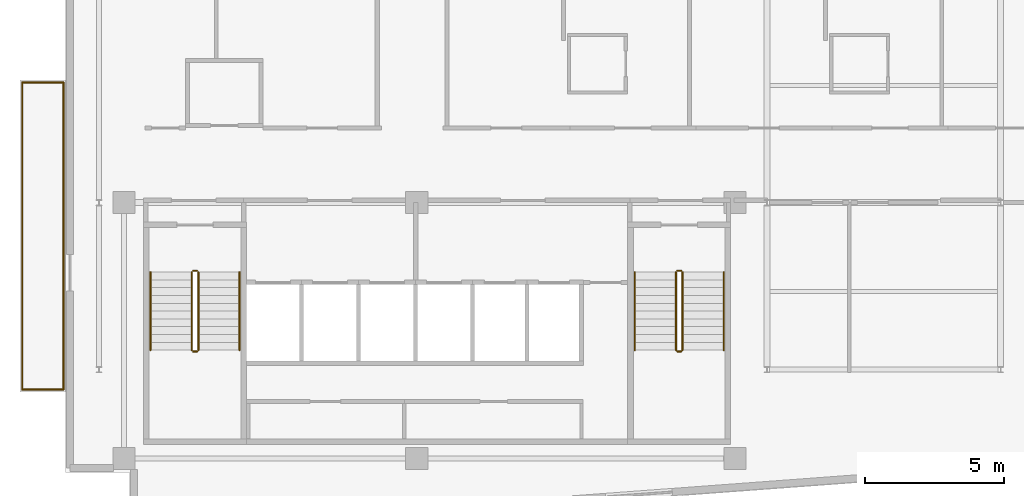
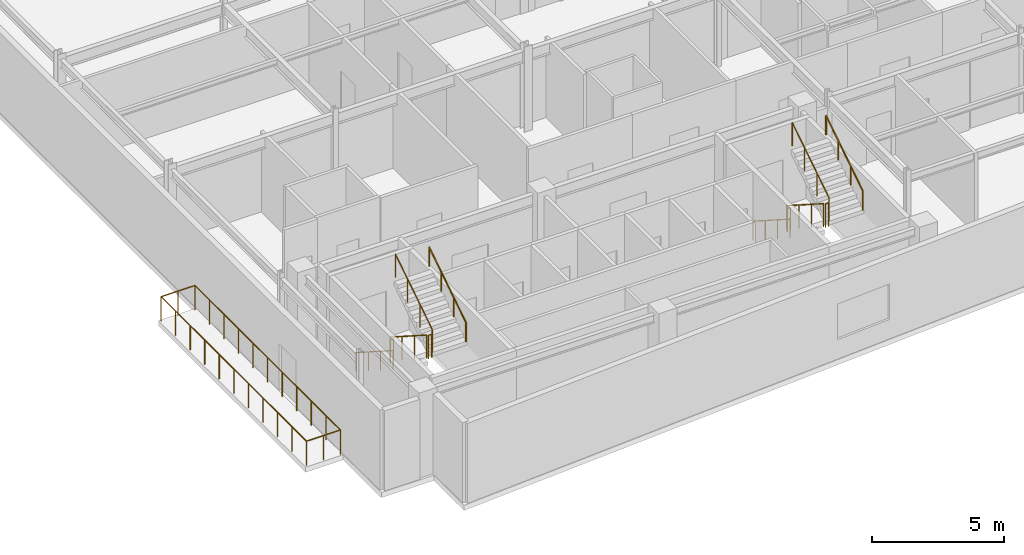
# One storey, part 14 of 16: 16 railings.
"""IFC4 building model written with IfcOpenShell, lengths in metres."""

from ifc_helpers import new_model, si_unit, direction, frame, origin, origin_2d, place, context, subcontext, project, spatial, circle, extrude, material, type_object, element, save


model = new_model("IFC4")

# Units and contexts
model_context = context("Model", 3, precision=1e-05, world=origin(), true_north=direction((0.0, 1.0)))
body_context = subcontext(model_context, "Body", "Model", "MODEL_VIEW")
ifc_project = project(units=[si_unit("LENGTHUNIT", "METRE"), si_unit("AREAUNIT", "SQUARE_METRE"), si_unit("VOLUMEUNIT", "CUBIC_METRE"), si_unit("PLANEANGLEUNIT", "RADIAN"), si_unit("MASSUNIT", "GRAM", prefix="KILO")], contexts=[model_context])

# Site, building, storey
site_placement = place(None, origin())
site = spatial("IfcSite", under=ifc_project, at=site_placement, CompositionType="ELEMENT")
building_placement = place(site_placement, origin())
building = spatial("IfcBuilding", under=site, at=building_placement, Name="Varnakote Quay Hospital", CompositionType="ELEMENT")
storey_placement = place(building_placement, frame((0.0, 0.0, 280.25)))
storey = spatial("IfcBuildingStorey", under=building, at=storey_placement, Name="L69", CompositionType="ELEMENT", Elevation=280.25)

# Railings
ifc_material_1 = material(Name="Anodised aluminium 6063-T6 Bronze", Category="aluminium")
railing_type_1 = type_object("IfcRailingType", Name="RLG-EXT-GUARD-1150", PredefinedType="GUARDRAIL", material=ifc_material_1)
railing_1_placement = place(storey_placement, frame((-0.075927734375, 5.280029296875, 0.0)))
element("IfcRailing", 1, at=railing_1_placement, inside=storey, type_object=railing_type_1, Name="L69 Zigzag Prow Healing Terrace Safety Guard", PredefinedType="GUARDRAIL", context=body_context, shape_type="SweptSolid", body=[
    extrude(circle(Radius=0.02392578125, at=origin_2d()), frame((0.0, 0.0, 1.1259765625), z_axis=(-1.0, 0.0, 0.0), x_axis=(0.0, -1.0, 0.0)), (0.0, 0.0, 1.0), 1.484130859375),
    extrude(circle(Radius=0.02099609375, at=origin_2d()), origin(), (0.0, 0.0, 1.0), 1.101806640625),
    extrude(circle(Radius=0.02099609375, at=origin_2d()), frame((-0.7421875, 0.0, 0.0)), (0.0, 0.0, 1.0), 1.101806640625),
    extrude(circle(Radius=0.02099609375, at=origin_2d()), frame((-1.484130859375, 0.0, 0.0)), (0.0, 0.0, 1.0), 1.101806640625),
])
railing_2_placement = place(storey_placement, frame((-1.56005859375, 5.280029296875, 0.0)))
element("IfcRailing", 2, at=railing_2_placement, inside=storey, type_object=railing_type_1, Name="L69 Zigzag Prow Healing Terrace Safety Guard", PredefinedType="GUARDRAIL", context=body_context, shape_type="SweptSolid", body=[
    extrude(circle(Radius=0.02392578125, at=origin_2d()), frame((0.0, 0.0, 1.1259765625), z_axis=(0.0, 1.0, 0.0), x_axis=(-1.0, 0.0, 0.0)), (0.0, 0.0, 1.0), 11.0400390625),
    extrude(circle(Radius=0.02099609375, at=origin_2d()), origin(), (0.0, 0.0, 1.0), 1.101806640625),
    extrude(circle(Radius=0.02099609375, at=origin_2d()), frame((0.0, 1.10400390625, 0.0)), (0.0, 0.0, 1.0), 1.101806640625),
    extrude(circle(Radius=0.02099609375, at=origin_2d()), frame((0.0, 2.2080078125, 0.0)), (0.0, 0.0, 1.0), 1.101806640625),
    extrude(circle(Radius=0.02099609375, at=origin_2d()), frame((0.0, 3.31201171875, 0.0)), (0.0, 0.0, 1.0), 1.101806640625),
    extrude(circle(Radius=0.02099609375, at=origin_2d()), frame((0.0, 4.416015625, 0.0)), (0.0, 0.0, 1.0), 1.101806640625),
    extrude(circle(Radius=0.02099609375, at=origin_2d()), frame((0.0, 5.52001953125, 0.0)), (0.0, 0.0, 1.0), 1.101806640625),
    extrude(circle(Radius=0.02099609375, at=origin_2d()), frame((0.0, 6.6240234375, 0.0)), (0.0, 0.0, 1.0), 1.101806640625),
    extrude(circle(Radius=0.02099609375, at=origin_2d()), frame((0.0, 7.72802734375, 0.0)), (0.0, 0.0, 1.0), 1.101806640625),
    extrude(circle(Radius=0.02099609375, at=origin_2d()), frame((0.0, 8.83203125, 0.0)), (0.0, 0.0, 1.0), 1.101806640625),
    extrude(circle(Radius=0.02099609375, at=origin_2d()), frame((0.0, 9.93603515625, 0.0)), (0.0, 0.0, 1.0), 1.101806640625),
    extrude(circle(Radius=0.02099609375, at=origin_2d()), frame((0.0, 11.0400390625, 0.0)), (0.0, 0.0, 1.0), 1.101806640625),
])
railing_3_placement = place(storey_placement, frame((-1.56005859375, 16.320068359375, 0.0)))
element("IfcRailing", 3, at=railing_3_placement, inside=storey, type_object=railing_type_1, Name="L69 Zigzag Prow Healing Terrace Safety Guard", PredefinedType="GUARDRAIL", context=body_context, shape_type="SweptSolid", body=[
    extrude(circle(Radius=0.02392578125, at=origin_2d()), frame((0.0, 0.0, 1.1259765625), z_axis=(1.0, 0.0, 0.0), x_axis=(0.0, 1.0, 0.0)), (0.0, 0.0, 1.0), 1.484130859375),
    extrude(circle(Radius=0.02099609375, at=origin_2d()), origin(), (0.0, 0.0, 1.0), 1.101806640625),
    extrude(circle(Radius=0.02099609375, at=origin_2d()), frame((0.7421875, 0.0, 0.0)), (0.0, 0.0, 1.0), 1.101806640625),
    extrude(circle(Radius=0.02099609375, at=origin_2d()), frame((1.484130859375, 0.0, 0.0)), (0.0, 0.0, 1.0), 1.101806640625),
])
railing_4_placement = place(storey_placement, frame((-0.075927734375, 16.320068359375, 0.0)))
element("IfcRailing", 4, at=railing_4_placement, inside=storey, type_object=railing_type_1, Name="L69 Zigzag Prow Healing Terrace Safety Guard", PredefinedType="GUARDRAIL", context=body_context, shape_type="SweptSolid", body=[
    extrude(circle(Radius=0.02392578125, at=origin_2d()), frame((0.0, 0.0, 1.1259765625), z_axis=(0.0, -1.0, 0.0), x_axis=(1.0, 0.0, 0.0)), (0.0, 0.0, 1.0), 11.0400390625),
    extrude(circle(Radius=0.02099609375, at=origin_2d()), origin(), (0.0, 0.0, 1.0), 1.101806640625),
    extrude(circle(Radius=0.02099609375, at=origin_2d()), frame((0.0, -1.10400390625, 0.0)), (0.0, 0.0, 1.0), 1.101806640625),
    extrude(circle(Radius=0.02099609375, at=origin_2d()), frame((0.0, -2.2080078125, 0.0)), (0.0, 0.0, 1.0), 1.101806640625),
    extrude(circle(Radius=0.02099609375, at=origin_2d()), frame((0.0, -3.31201171875, 0.0)), (0.0, 0.0, 1.0), 1.101806640625),
    extrude(circle(Radius=0.02099609375, at=origin_2d()), frame((0.0, -4.416015625, 0.0)), (0.0, 0.0, 1.0), 1.101806640625),
    extrude(circle(Radius=0.02099609375, at=origin_2d()), frame((0.0, -5.52001953125, 0.0)), (0.0, 0.0, 1.0), 1.101806640625),
    extrude(circle(Radius=0.02099609375, at=origin_2d()), frame((0.0, -6.6240234375, 0.0)), (0.0, 0.0, 1.0), 1.101806640625),
    extrude(circle(Radius=0.02099609375, at=origin_2d()), frame((0.0, -7.72802734375, 0.0)), (0.0, 0.0, 1.0), 1.101806640625),
    extrude(circle(Radius=0.02099609375, at=origin_2d()), frame((0.0, -8.83203125, 0.0)), (0.0, 0.0, 1.0), 1.101806640625),
    extrude(circle(Radius=0.02099609375, at=origin_2d()), frame((0.0, -9.93603515625, 0.0)), (0.0, 0.0, 1.0), 1.101806640625),
    extrude(circle(Radius=0.02099609375, at=origin_2d()), frame((0.0, -11.0400390625, 0.0)), (0.0, 0.0, 1.0), 1.101806640625),
])
ifc_material_2 = material(Name="Brushed stainless steel balustrade", Category="steel")
railing_type_2 = type_object("IfcRailingType", Name="RLG-STAIR-GUARD-1150", PredefinedType="GUARDRAIL", material=ifc_material_2)
railing_5_placement = place(storey_placement, frame((4.530029296875, 9.5, 0.179443359375)))
element("IfcRailing", 5, at=railing_5_placement, inside=storey, type_object=railing_type_2, Name="L69 ST-01 stair guard 1", PredefinedType="GUARDRAIL", context=body_context, shape_type="SweptSolid", body=[
    extrude(circle(Radius=0.02392578125, at=origin_2d()), frame((0.0, 0.0, 1.076171875), z_axis=(0.0, -0.841776520102, 0.539826166654), x_axis=(1.0, 0.0, 0.0)), (0.0, 0.0, 1.0), 3.326416015625),
    extrude(circle(Radius=0.02099609375, at=origin_2d()), origin(), (0.0, 0.0, 1.0), 1.052001953125),
    extrude(circle(Radius=0.02099609375, at=origin_2d()), frame((0.0, -0.933349609375, 0.5986328125)), (0.0, 0.0, 1.0), 1.052001953125),
    extrude(circle(Radius=0.02099609375, at=origin_2d()), frame((0.0, -1.86669921875, 1.197021484375)), (0.0, 0.0, 1.0), 1.052001953125),
    extrude(circle(Radius=0.02099609375, at=origin_2d()), frame((0.0, -2.800048828125, 1.795654296875)), (0.0, 0.0, 1.0), 1.052001953125),
])
railing_6_placement = place(storey_placement, frame((4.580078125, 6.64990234375, 1.97509765625)))
element("IfcRailing", 6, at=railing_6_placement, inside=storey, type_object=railing_type_2, Name="L69 ST-01 stair guard 2", PredefinedType="GUARDRAIL", context=body_context, shape_type="SweptSolid", body=[
    extrude(circle(Radius=0.02392578125, at=origin_2d()), frame((0.0, 0.0, 1.076171875), z_axis=(1.0, 0.0, 0.0), x_axis=(0.0, 1.0, 0.0)), (0.0, 0.0, 1.0), 0.139892578125),
    extrude(circle(Radius=0.02099609375, at=origin_2d()), origin(), (0.0, 0.0, 1.0), 1.052001953125),
    extrude(circle(Radius=0.02099609375, at=origin_2d()), frame((0.139892578125, 0.0, 0.0)), (0.0, 0.0, 1.0), 1.052001953125),
])
railing_7_placement = place(storey_placement, frame((4.77001953125, 6.699951171875, 2.154541015625)))
element("IfcRailing", 7, at=railing_7_placement, inside=storey, type_object=railing_type_2, Name="L69 ST-01 stair guard 3", PredefinedType="GUARDRAIL", context=body_context, shape_type="SweptSolid", body=[
    extrude(circle(Radius=0.02392578125, at=origin_2d()), frame((0.0, 0.0, 1.076171875), z_axis=(0.0, 0.841809871826, 0.539774156196), x_axis=(-1.0, 0.0, 0.0)), (0.0, 0.0, 1.0), 3.326171875),
    extrude(circle(Radius=0.02099609375, at=origin_2d()), origin(), (0.0, 0.0, 1.0), 1.052001953125),
    extrude(circle(Radius=0.02099609375, at=origin_2d()), frame((0.0, 0.933349609375, 0.598388671875)), (0.0, 0.0, 1.0), 1.052001953125),
    extrude(circle(Radius=0.02099609375, at=origin_2d()), frame((0.0, 1.86669921875, 1.197021484375)), (0.0, 0.0, 1.0), 1.052001953125),
    extrude(circle(Radius=0.02099609375, at=origin_2d()), frame((0.0, 2.800048828125, 1.79541015625)), (0.0, 0.0, 1.0), 1.052001953125),
])
railing_8_placement = place(storey_placement, frame((4.580078125, 9.550048828125, 0.0)))
element("IfcRailing", 8, at=railing_8_placement, inside=storey, type_object=railing_type_2, Name="L69 ST-01 stair guard 4", PredefinedType="GUARDRAIL", context=body_context, shape_type="SweptSolid", body=[
    extrude(circle(Radius=0.02392578125, at=origin_2d()), frame((0.0, 0.0, 1.076171875), z_axis=(1.0, 0.0, 0.0), x_axis=(0.0, 1.0, 0.0)), (0.0, 0.0, 1.0), 0.139892578125),
    extrude(circle(Radius=0.02099609375, at=origin_2d()), origin(), (0.0, 0.0, 1.0), 1.052001953125),
    extrude(circle(Radius=0.02099609375, at=origin_2d()), frame((0.139892578125, 0.0, 0.0)), (0.0, 0.0, 1.0), 1.052001953125),
])
railing_9_placement = place(storey_placement, frame((21.929931640625, 9.5, 0.179443359375)))
element("IfcRailing", 9, at=railing_9_placement, inside=storey, type_object=railing_type_2, Name="L69 ST-02 stair guard 1", PredefinedType="GUARDRAIL", context=body_context, shape_type="SweptSolid", body=[
    extrude(circle(Radius=0.02392578125, at=origin_2d()), frame((0.0, 0.0, 1.076171875), z_axis=(0.0, -0.841776520102, 0.539826166654), x_axis=(1.0, 0.0, 0.0)), (0.0, 0.0, 1.0), 3.326416015625),
    extrude(circle(Radius=0.02099609375, at=origin_2d()), origin(), (0.0, 0.0, 1.0), 1.052001953125),
    extrude(circle(Radius=0.02099609375, at=origin_2d()), frame((0.0, -0.933349609375, 0.5986328125)), (0.0, 0.0, 1.0), 1.052001953125),
    extrude(circle(Radius=0.02099609375, at=origin_2d()), frame((0.0, -1.86669921875, 1.197021484375)), (0.0, 0.0, 1.0), 1.052001953125),
    extrude(circle(Radius=0.02099609375, at=origin_2d()), frame((0.0, -2.800048828125, 1.795654296875)), (0.0, 0.0, 1.0), 1.052001953125),
])
railing_10_placement = place(storey_placement, frame((21.97998046875, 6.64990234375, 1.97509765625)))
element("IfcRailing", 10, at=railing_10_placement, inside=storey, type_object=railing_type_2, Name="L69 ST-02 stair guard 2", PredefinedType="GUARDRAIL", context=body_context, shape_type="SweptSolid", body=[
    extrude(circle(Radius=0.02392578125, at=origin_2d()), frame((0.0, 0.0, 1.076171875), z_axis=(1.0, 0.0, 0.0), x_axis=(0.0, 1.0, 0.0)), (0.0, 0.0, 1.0), 0.14013671875),
    extrude(circle(Radius=0.02099609375, at=origin_2d()), origin(), (0.0, 0.0, 1.0), 1.052001953125),
    extrude(circle(Radius=0.02099609375, at=origin_2d()), frame((0.14013671875, 0.0, 0.0)), (0.0, 0.0, 1.0), 1.052001953125),
])
railing_11_placement = place(storey_placement, frame((22.169921875, 6.699951171875, 2.154541015625)))
element("IfcRailing", 11, at=railing_11_placement, inside=storey, type_object=railing_type_2, Name="L69 ST-02 stair guard 3", PredefinedType="GUARDRAIL", context=body_context, shape_type="SweptSolid", body=[
    extrude(circle(Radius=0.02392578125, at=origin_2d()), frame((0.0, 0.0, 1.076171875), z_axis=(0.0, 0.841809871826, 0.539774156196), x_axis=(-1.0, 0.0, 0.0)), (0.0, 0.0, 1.0), 3.326171875),
    extrude(circle(Radius=0.02099609375, at=origin_2d()), origin(), (0.0, 0.0, 1.0), 1.052001953125),
    extrude(circle(Radius=0.02099609375, at=origin_2d()), frame((0.0, 0.933349609375, 0.598388671875)), (0.0, 0.0, 1.0), 1.052001953125),
    extrude(circle(Radius=0.02099609375, at=origin_2d()), frame((0.0, 1.86669921875, 1.197021484375)), (0.0, 0.0, 1.0), 1.052001953125),
    extrude(circle(Radius=0.02099609375, at=origin_2d()), frame((0.0, 2.800048828125, 1.79541015625)), (0.0, 0.0, 1.0), 1.052001953125),
])
railing_12_placement = place(storey_placement, frame((21.97998046875, 9.550048828125, 0.0)))
element("IfcRailing", 12, at=railing_12_placement, inside=storey, type_object=railing_type_2, Name="L69 ST-02 stair guard 4", PredefinedType="GUARDRAIL", context=body_context, shape_type="SweptSolid", body=[
    extrude(circle(Radius=0.02392578125, at=origin_2d()), frame((0.0, 0.0, 1.076171875), z_axis=(1.0, 0.0, 0.0), x_axis=(0.0, 1.0, 0.0)), (0.0, 0.0, 1.0), 0.14013671875),
    extrude(circle(Radius=0.02099609375, at=origin_2d()), origin(), (0.0, 0.0, 1.0), 1.052001953125),
    extrude(circle(Radius=0.02099609375, at=origin_2d()), frame((0.14013671875, 0.0, 0.0)), (0.0, 0.0, 1.0), 1.052001953125),
])
ifc_material_3 = material(Name="Brushed stainless steel handrail", Category="steel")
railing_type_3 = type_object("IfcRailingType", Name="RLG-STAIR-HND-920", PredefinedType="HANDRAIL", material=ifc_material_3)
railing_13_placement = place(storey_placement, frame((3.050048828125, 9.5, 0.179443359375)))
element("IfcRailing", 13, at=railing_13_placement, inside=storey, type_object=railing_type_3, Name="L69 ST-01 stair handrail 1", PredefinedType="HANDRAIL", context=body_context, shape_type="SweptSolid", body=[
    extrude(circle(Radius=0.02392578125, at=origin_2d()), frame((0.0, 0.0, 0.8759765625), z_axis=(0.0, -0.841776520102, 0.539826166654), x_axis=(1.0, 0.0, 0.0)), (0.0, 0.0, 1.0), 3.326416015625),
    extrude(circle(Radius=0.02099609375, at=origin_2d()), origin(), (0.0, 0.0, 1.0), 0.851806640625),
    extrude(circle(Radius=0.02099609375, at=origin_2d()), frame((0.0, -0.933349609375, 0.5986328125)), (0.0, 0.0, 1.0), 0.851806640625),
    extrude(circle(Radius=0.02099609375, at=origin_2d()), frame((0.0, -1.86669921875, 1.197021484375)), (0.0, 0.0, 1.0), 0.851806640625),
    extrude(circle(Radius=0.02099609375, at=origin_2d()), frame((0.0, -2.800048828125, 1.795654296875)), (0.0, 0.0, 1.0), 0.851806640625),
])
railing_14_placement = place(storey_placement, frame((6.25, 6.699951171875, 2.154541015625)))
element("IfcRailing", 14, at=railing_14_placement, inside=storey, type_object=railing_type_3, Name="L69 ST-01 stair handrail 2", PredefinedType="HANDRAIL", context=body_context, shape_type="SweptSolid", body=[
    extrude(circle(Radius=0.02392578125, at=origin_2d()), frame((0.0, 0.0, 0.8759765625), z_axis=(0.0, 0.841809871826, 0.539774156196), x_axis=(-1.0, 0.0, 0.0)), (0.0, 0.0, 1.0), 3.326171875),
    extrude(circle(Radius=0.02099609375, at=origin_2d()), origin(), (0.0, 0.0, 1.0), 0.851806640625),
    extrude(circle(Radius=0.02099609375, at=origin_2d()), frame((0.0, 0.933349609375, 0.598388671875)), (0.0, 0.0, 1.0), 0.851806640625),
    extrude(circle(Radius=0.02099609375, at=origin_2d()), frame((0.0, 1.86669921875, 1.197021484375)), (0.0, 0.0, 1.0), 0.851806640625),
    extrude(circle(Radius=0.02099609375, at=origin_2d()), frame((0.0, 2.800048828125, 1.79541015625)), (0.0, 0.0, 1.0), 0.851806640625),
])
railing_15_placement = place(storey_placement, frame((20.449951171875, 9.5, 0.179443359375)))
element("IfcRailing", 15, at=railing_15_placement, inside=storey, type_object=railing_type_3, Name="L69 ST-02 stair handrail 1", PredefinedType="HANDRAIL", context=body_context, shape_type="SweptSolid", body=[
    extrude(circle(Radius=0.02392578125, at=origin_2d()), frame((0.0, 0.0, 0.8759765625), z_axis=(0.0, -0.841776520102, 0.539826166654), x_axis=(1.0, 0.0, 0.0)), (0.0, 0.0, 1.0), 3.326416015625),
    extrude(circle(Radius=0.02099609375, at=origin_2d()), origin(), (0.0, 0.0, 1.0), 0.851806640625),
    extrude(circle(Radius=0.02099609375, at=origin_2d()), frame((0.0, -0.933349609375, 0.5986328125)), (0.0, 0.0, 1.0), 0.851806640625),
    extrude(circle(Radius=0.02099609375, at=origin_2d()), frame((0.0, -1.86669921875, 1.197021484375)), (0.0, 0.0, 1.0), 0.851806640625),
    extrude(circle(Radius=0.02099609375, at=origin_2d()), frame((0.0, -2.800048828125, 1.795654296875)), (0.0, 0.0, 1.0), 0.851806640625),
])
railing_16_placement = place(storey_placement, frame((23.64990234375, 6.699951171875, 2.154541015625)))
element("IfcRailing", 16, at=railing_16_placement, inside=storey, type_object=railing_type_3, Name="L69 ST-02 stair handrail 2", PredefinedType="HANDRAIL", context=body_context, shape_type="SweptSolid", body=[
    extrude(circle(Radius=0.02392578125, at=origin_2d()), frame((0.0, 0.0, 0.8759765625), z_axis=(0.0, 0.841809871826, 0.539774156196), x_axis=(-1.0, 0.0, 0.0)), (0.0, 0.0, 1.0), 3.326171875),
    extrude(circle(Radius=0.02099609375, at=origin_2d()), origin(), (0.0, 0.0, 1.0), 0.851806640625),
    extrude(circle(Radius=0.02099609375, at=origin_2d()), frame((0.0, 0.933349609375, 0.598388671875)), (0.0, 0.0, 1.0), 0.851806640625),
    extrude(circle(Radius=0.02099609375, at=origin_2d()), frame((0.0, 1.86669921875, 1.197021484375)), (0.0, 0.0, 1.0), 0.851806640625),
    extrude(circle(Radius=0.02099609375, at=origin_2d()), frame((0.0, 2.800048828125, 1.79541015625)), (0.0, 0.0, 1.0), 0.851806640625),
])

save(model, "model.ifc")
